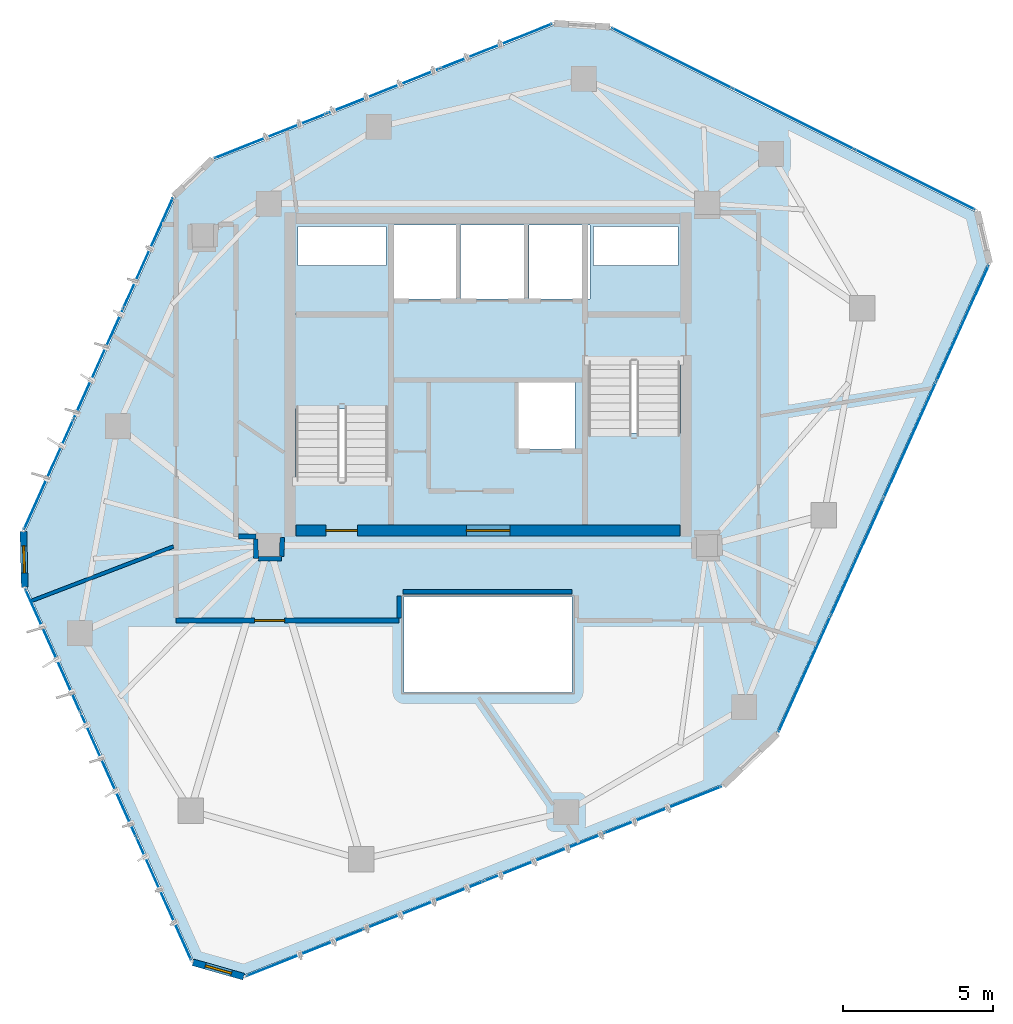
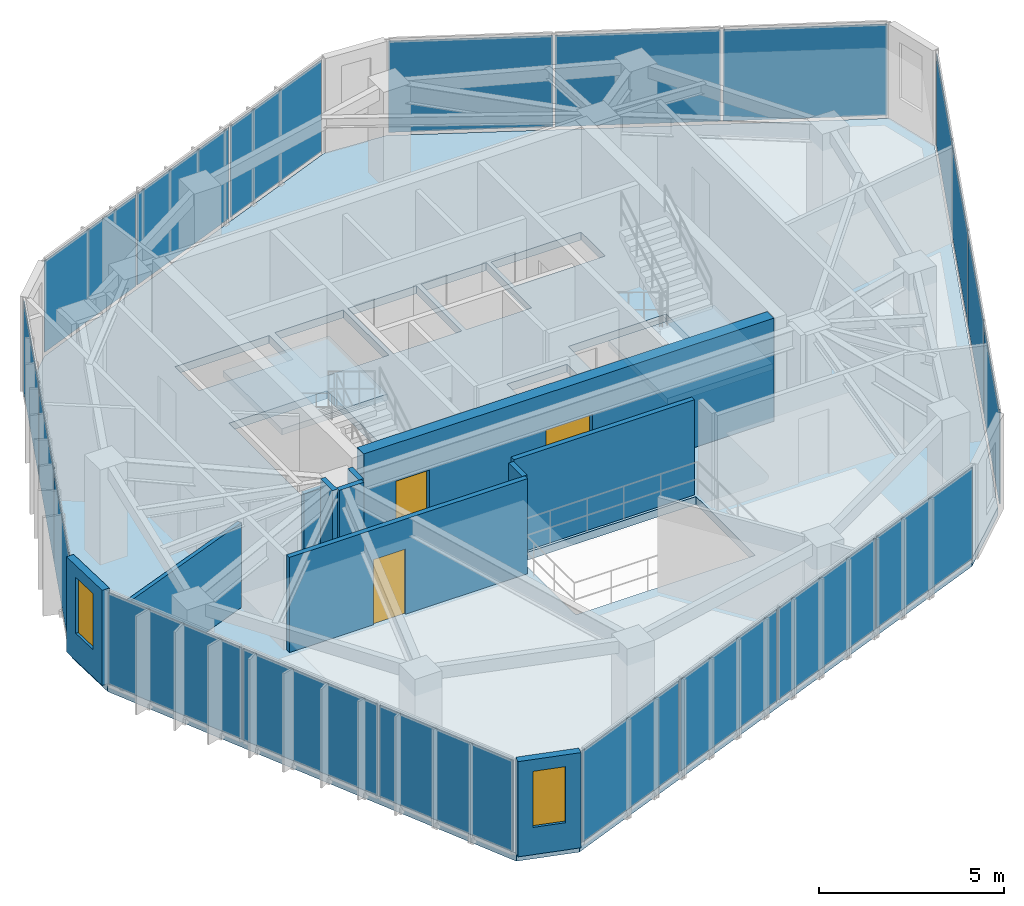
# One storey, part 16 of 20: 20 plates, 11 walls, 3 doors, 3 slabs, 2 windows, 5 openings, 8 elements without a shape of their own.
"""IFC4 building model written with IfcOpenShell, lengths in metres."""

from ifc_helpers import new_model, si_unit, direction, frame, frame_2d, origin, origin_2d, place, context, subcontext, project, spatial, polyline, rectangle, outline, extrude, source, transform, mapped, material, layer, layer_set, type_object, type_shapes, element, fill, aggregate, save


model = new_model("IFC4")

# Units and contexts
model_context = context("Model", 3, precision=1e-05, world=origin(), true_north=direction((0.0, 1.0)))
body_context = subcontext(model_context, "Body", "Model", "MODEL_VIEW")
ifc_project = project(units=[si_unit("LENGTHUNIT", "METRE"), si_unit("AREAUNIT", "SQUARE_METRE"), si_unit("VOLUMEUNIT", "CUBIC_METRE"), si_unit("PLANEANGLEUNIT", "RADIAN"), si_unit("MASSUNIT", "GRAM", prefix="KILO")], contexts=[model_context])

# Site, building, storey
site_placement = place(None, origin())
site = spatial("IfcSite", under=ifc_project, at=site_placement, CompositionType="ELEMENT")
building_placement = place(site_placement, origin())
building = spatial("IfcBuilding", under=site, at=building_placement, Name="Talar Marvaseh", CompositionType="ELEMENT")
storey_placement = place(building_placement, frame((0.0, 0.0, 278.199951171875)))
storey = spatial("IfcBuildingStorey", under=building, at=storey_placement, Name="L74", CompositionType="ELEMENT", Elevation=278.199951171875)

# Stair, slab
ifc_material_1 = material(Name="Concrete C40/50", Category="concrete")
stair_type = type_object("IfcStairType", Name="Reinforced Concrete High-Rise Exit Stair Type C", PredefinedType="HALF_TURN_STAIR", material=ifc_material_1)
stair_1_placement = place(storey_placement, origin())
stair_1 = element("IfcStair", 1, at=stair_1_placement, inside=storey, type_object=stair_type, Name="L74 Tower West Core Exit Stair", PredefinedType="HALF_TURN_STAIR")
ifc_layer_1 = layer(ifc_material_1, 0.199951171875)
ifc_layer_set_1 = layer_set([ifc_layer_1], Name="Concrete C40/50")
slab_type_1 = type_object("IfcSlabType", Name="Reinforced Concrete Stair Half-Landing Slab 200", PredefinedType="LANDING", material=ifc_layer_set_1)
slab_1_placement = place(storey_placement, frame((0.0, 0.0, 1.5)))
slab_1 = element("IfcSlab", 2, at=slab_1_placement, type_object=slab_type_1, Name="ST-1 landing 1", PredefinedType="LANDING", context=body_context, shape_type="SweptSolid", body=[
    extrude(outline(polyline([(22.780029296875, 30.050048828125), (22.780029296875, 33.219970703125), (19.47998046875, 33.219970703125), (19.47998046875, 30.050048828125), (22.780029296875, 30.050048828125)])), origin(), (0.0, 0.0, 1.0), 0.199951171875),
])
aggregate(stair_1, [slab_1])

stair_2_placement = place(storey_placement, origin())
stair_2 = element("IfcStair", 3, at=stair_2_placement, inside=storey, type_object=stair_type, Name="L74 Tower East Core Exit Stair", PredefinedType="HALF_TURN_STAIR")
slab_2_placement = place(storey_placement, frame((0.0, 0.0, 1.5)))
slab_2 = element("IfcSlab", 4, at=slab_2_placement, type_object=slab_type_1, Name="ST-2 landing 1", PredefinedType="LANDING", context=body_context, shape_type="SweptSolid", body=[
    extrude(outline(polyline([(29.219970703125, 29.25), (29.219970703125, 26.080078125), (32.52001953125, 26.080078125), (32.52001953125, 29.25), (29.219970703125, 29.25)])), origin(), (0.0, 0.0, 1.0), 0.199951171875),
])
aggregate(stair_2, [slab_2])

# Slab
ifc_layer_2 = layer(ifc_material_1, 0.260009765625)
ifc_layer_set_2 = layer_set([ifc_layer_2], Name="Concrete C40/50")
slab_type_2 = type_object("IfcSlabType", Name="Structural Suspended Floor Slab 260", PredefinedType="FLOOR", material=ifc_layer_set_2)
slab_3_placement = place(storey_placement, frame((0.0, 0.0, -0.260009765625)))
element("IfcSlab", 5, at=slab_3_placement, inside=storey, type_object=slab_type_2, Name="L74 Tower Floor Slab", PredefinedType="FLOOR", context=body_context, shape_type="SweptSolid", body=[
    extrude(outline(polyline([(17.876708984375, 11.186767578125), (16.185302734375, 11.666015625), (10.618896484375, 24.11279296875), (10.57421875, 25.968505859375), (15.57421875, 37.103515625), (16.8603515625, 38.334716796875), (28.202880859375, 42.84423828125), (30.054931640625, 42.71875), (42.2470703125, 36.614501953125), (42.652099609375, 34.90380859375), (35.60791015625, 19.272705078125), (33.80029296875, 17.54248046875), (17.876708984375, 11.186767578125)]), holes=[polyline([(22.659912109375, 27.64990234375), (22.659912109375, 33.10009765625), (19.60009765625, 33.10009765625), (19.60009765625, 27.64990234375), (22.659912109375, 27.64990234375)]), polyline([(29.340087890625, 31.64990234375), (29.340087890625, 26.199951171875), (32.39990234375, 26.199951171875), (32.39990234375, 31.64990234375), (29.340087890625, 31.64990234375)]), polyline([(22.800048828125, 33.719970703125), (24.93994140625, 33.719970703125), (24.93994140625, 36.179931640625), (22.800048828125, 36.179931640625), (22.800048828125, 33.719970703125)]), polyline([(25.080078125, 33.719970703125), (27.219970703125, 33.719970703125), (27.219970703125, 36.179931640625), (25.080078125, 36.179931640625), (25.080078125, 33.719970703125)]), polyline([(27.360107421875, 33.719970703125), (29.39990234375, 33.719970703125), (29.39990234375, 36.179931640625), (27.360107421875, 36.179931640625), (27.360107421875, 33.719970703125)]), polyline([(27.02001953125, 28.719970703125), (28.89990234375, 28.719970703125), (28.89990234375, 30.93994140625), (27.02001953125, 30.93994140625), (27.02001953125, 28.719970703125)]), polyline([(19.659912109375, 34.840087890625), (22.60009765625, 34.840087890625), (22.60009765625, 36.139892578125), (19.659912109375, 36.139892578125), (19.659912109375, 34.840087890625)]), polyline([(29.52001953125, 34.840087890625), (32.340087890625, 34.840087890625), (32.340087890625, 36.139892578125), (29.52001953125, 36.139892578125), (29.52001953125, 34.840087890625)]), polyline([(23.199951171875, 20.60009765625), (28.800048828125, 20.60009765625), (28.800048828125, 23.800048828125), (23.199951171875, 23.800048828125), (23.199951171875, 20.60009765625)])]), origin(), (0.0, 0.0, 1.0), 0.260009765625),
])

# Curtain wall, plates
ifc_material_2 = material(Name="Architectural Aluminium", Category="aluminium")
ifc_layer_3 = layer(ifc_material_2, 0.179931640625)
ifc_layer_set_3 = layer_set([ifc_layer_3], Name="Architectural Aluminium")
curtain_wall_type = type_object("IfcCurtainWallType", Name="Unitised High-Wind Sky Curtain Wall Z4", PredefinedType="NOTDEFINED", material=ifc_layer_set_3)
curtain_wall_1_placement = place(storey_placement, origin())
curtain_wall_1 = element("IfcCurtainWall", 6, at=curtain_wall_1_placement, inside=storey, type_object=curtain_wall_type, Name="L74 Unitised High-Wind Sky Curtain Wall Z4", PredefinedType="NOTDEFINED")
ifc_material_3 = material(Name="Laminated Low-E Solar Glass", Category="glass")
ifc_layer_4 = layer(ifc_material_3, 0.028076171875)
ifc_layer_set_4 = layer_set([ifc_layer_4], Name="Laminated Low-E Solar Glass")
plate_type = type_object("IfcPlateType", Name="Double-Glazed Low-E Vision Curtain Panel 28", PredefinedType="CURTAIN_PANEL", material=ifc_layer_set_4)
shared_shape_1 = source(origin(), body_context, "Body", "SweptSolid", [
    extrude(rectangle(XDim=4.447509765625, YDim=0.028076171875, at=origin_2d()), origin(), (0.0, 0.0, 1.0), 3.010009765625),
])
plate_1_placement = place(storey_placement, frame((15.1962890625, 13.73095703125, 0.06494140625), z_axis=(0.0, 0.0, 1.0), x_axis=(-0.408267314284, 0.912862421226, 0.0)))
plate_1 = element("IfcPlate", 7, at=plate_1_placement, type_object=plate_type, Name="CW-Z4 panel 1.1", PredefinedType="CURTAIN_PANEL", context=body_context, shape_type="MappedRepresentation", body=[
    mapped(shared_shape_1, transform((0.0, 0.0, 0.0), x_axis=(1.0, 0.0, 0.0), y_axis=(0.0, 1.0, 0.0), z_axis=(0.0, 0.0, 1.0), scale=1.0)),
])
plate_2_placement = place(storey_placement, frame((11.498291015625, 21.9990234375, 0.06494140625), z_axis=(0.0, 0.0, 1.0), x_axis=(-0.408267314284, 0.912862421226, 0.0)))
plate_2 = element("IfcPlate", 8, at=plate_2_placement, type_object=plate_type, Name="CW-Z4 panel 3.1", PredefinedType="CURTAIN_PANEL", context=body_context, shape_type="MappedRepresentation", body=[
    mapped(shared_shape_1, transform((0.0, 0.0, 0.0), x_axis=(1.0, 0.0, 0.0), y_axis=(0.0, 1.0, 0.0), z_axis=(0.0, 0.0, 1.0), scale=1.0)),
])

curtain_wall_2_placement = place(storey_placement, origin())
curtain_wall_2 = element("IfcCurtainWall", 9, at=curtain_wall_2_placement, inside=storey, type_object=curtain_wall_type, Name="L74 Unitised High-Wind Sky Curtain Wall Z4", PredefinedType="NOTDEFINED")
plate_3_placement = place(storey_placement, frame((32.12841796875, 41.747802734375, 0.06494140625), z_axis=(0.0, 0.0, 1.0), x_axis=(0.894186499617, -0.447694654763, 0.0)))
plate_3 = element("IfcPlate", 10, at=plate_3_placement, type_object=plate_type, Name="CW-Z4 panel 1.1", PredefinedType="CURTAIN_PANEL", context=body_context, shape_type="MappedRepresentation", body=[
    mapped(shared_shape_1, transform((0.0, 0.0, 0.0), x_axis=(1.0, 0.0, 0.0), y_axis=(0.0, 1.0, 0.0), z_axis=(0.0, 0.0, 1.0), scale=1.0)),
])
plate_4_placement = place(storey_placement, frame((40.227294921875, 37.69287109375, 0.06494140625), z_axis=(0.0, 0.0, 1.0), x_axis=(0.894186499617, -0.447694654763, 0.0)))
plate_4 = element("IfcPlate", 11, at=plate_4_placement, type_object=plate_type, Name="CW-Z4 panel 3.1", PredefinedType="CURTAIN_PANEL", context=body_context, shape_type="MappedRepresentation", body=[
    mapped(shared_shape_1, transform((0.0, 0.0, 0.0), x_axis=(1.0, 0.0, 0.0), y_axis=(0.0, 1.0, 0.0), z_axis=(0.0, 0.0, 1.0), scale=1.0)),
])

# Plate
shared_shape_2 = source(origin(), body_context, "Body", "SweptSolid", [
    extrude(rectangle(XDim=4.47998046875, YDim=0.028076171875, at=origin_2d()), origin(), (0.0, 0.0, 1.0), 3.010009765625),
])
plate_5_placement = place(storey_placement, frame((13.347412109375, 17.864990234375, 0.06494140625), z_axis=(0.0, 0.0, 1.0), x_axis=(-0.408267314284, 0.912862421226, 0.0)))
plate_5 = element("IfcPlate", 12, at=plate_5_placement, type_object=plate_type, Name="CW-Z4 panel 2.1", PredefinedType="CURTAIN_PANEL", context=body_context, shape_type="MappedRepresentation", body=[
    mapped(shared_shape_2, transform((0.0, 0.0, 0.0), x_axis=(1.0, 0.0, 0.0), y_axis=(0.0, 1.0, 0.0), z_axis=(0.0, 0.0, 1.0), scale=1.0)),
])

aggregate(curtain_wall_1, [plate_1, plate_5, plate_2])

plate_6_placement = place(storey_placement, frame((36.177978515625, 39.720458984375, 0.06494140625), z_axis=(0.0, 0.0, 1.0), x_axis=(0.894186499617, -0.447694654763, 0.0)))
plate_6 = element("IfcPlate", 13, at=plate_6_placement, type_object=plate_type, Name="CW-Z4 panel 2.1", PredefinedType="CURTAIN_PANEL", context=body_context, shape_type="MappedRepresentation", body=[
    mapped(shared_shape_2, transform((0.0, 0.0, 0.0), x_axis=(1.0, 0.0, 0.0), y_axis=(0.0, 1.0, 0.0), z_axis=(0.0, 0.0, 1.0), scale=1.0)),
])

aggregate(curtain_wall_2, [plate_3, plate_6, plate_4])

# Curtain wall, plates
curtain_wall_3_placement = place(storey_placement, origin())
curtain_wall_3 = element("IfcCurtainWall", 14, at=curtain_wall_3_placement, inside=storey, type_object=curtain_wall_type, Name="L74 Unitised High-Wind Sky Curtain Wall Z4", PredefinedType="NOTDEFINED")
shared_shape_3 = source(origin(), body_context, "Body", "SweptSolid", [
    extrude(rectangle(XDim=3.97119140625, YDim=0.028076171875, at=origin_2d()), origin(), (0.0, 0.0, 1.0), 3.010009765625),
])
plate_7_placement = place(storey_placement, frame((11.359375, 27.86376953125, 0.06494140625), z_axis=(0.0, 0.0, 1.0), x_axis=(0.409635208061, 0.91224941563, 0.0)))
plate_7 = element("IfcPlate", 15, at=plate_7_placement, type_object=plate_type, Name="CW-Z4 panel 1.1", PredefinedType="CURTAIN_PANEL", context=body_context, shape_type="MappedRepresentation", body=[
    mapped(shared_shape_3, transform((0.0, 0.0, 0.0), x_axis=(1.0, 0.0, 0.0), y_axis=(0.0, 1.0, 0.0), z_axis=(0.0, 0.0, 1.0), scale=1.0)),
])
plate_8_placement = place(storey_placement, frame((14.679443359375, 35.257568359375, 0.06494140625), z_axis=(0.0, 0.0, 1.0), x_axis=(0.409635208061, 0.91224941563, 0.0)))
plate_8 = element("IfcPlate", 16, at=plate_8_placement, type_object=plate_type, Name="CW-Z4 panel 3.1", PredefinedType="CURTAIN_PANEL", context=body_context, shape_type="MappedRepresentation", body=[
    mapped(shared_shape_3, transform((0.0, 0.0, 0.0), x_axis=(1.0, 0.0, 0.0), y_axis=(0.0, 1.0, 0.0), z_axis=(0.0, 0.0, 1.0), scale=1.0)),
])

curtain_wall_4_placement = place(storey_placement, origin())
curtain_wall_4 = element("IfcCurtainWall", 17, at=curtain_wall_4_placement, inside=storey, type_object=curtain_wall_type, Name="L74 Unitised High-Wind Sky Curtain Wall Z4", PredefinedType="NOTDEFINED")
plate_9_placement = place(storey_placement, frame((18.74365234375, 39.148193359375, 0.06494140625), z_axis=(0.0, 0.0, 1.0), x_axis=(0.929250430647, 0.369450452893, 0.0)))
plate_9 = element("IfcPlate", 18, at=plate_9_placement, type_object=plate_type, Name="CW-Z4 panel 1.1", PredefinedType="CURTAIN_PANEL", context=body_context, shape_type="MappedRepresentation", body=[
    mapped(shared_shape_3, transform((0.0, 0.0, 0.0), x_axis=(1.0, 0.0, 0.0), y_axis=(0.0, 1.0, 0.0), z_axis=(0.0, 0.0, 1.0), scale=1.0)),
])
plate_10_placement = place(storey_placement, frame((26.275146484375, 42.142578125, 0.06494140625), z_axis=(0.0, 0.0, 1.0), x_axis=(0.929250430647, 0.369450452893, 0.0)))
plate_10 = element("IfcPlate", 19, at=plate_10_placement, type_object=plate_type, Name="CW-Z4 panel 3.1", PredefinedType="CURTAIN_PANEL", context=body_context, shape_type="MappedRepresentation", body=[
    mapped(shared_shape_3, transform((0.0, 0.0, 0.0), x_axis=(1.0, 0.0, 0.0), y_axis=(0.0, 1.0, 0.0), z_axis=(0.0, 0.0, 1.0), scale=1.0)),
])

# Plate
shared_shape_4 = source(origin(), body_context, "Body", "SweptSolid", [
    extrude(rectangle(XDim=4.003662109375, YDim=0.028076171875, at=origin_2d()), origin(), (0.0, 0.0, 1.0), 3.010009765625),
])
plate_11_placement = place(storey_placement, frame((13.01953125, 31.560546875, 0.06494140625), z_axis=(0.0, 0.0, 1.0), x_axis=(0.409635208061, 0.91224941563, 0.0)))
plate_11 = element("IfcPlate", 20, at=plate_11_placement, type_object=plate_type, Name="CW-Z4 panel 2.1", PredefinedType="CURTAIN_PANEL", context=body_context, shape_type="MappedRepresentation", body=[
    mapped(shared_shape_4, transform((0.0, 0.0, 0.0), x_axis=(1.0, 0.0, 0.0), y_axis=(0.0, 1.0, 0.0), z_axis=(0.0, 0.0, 1.0), scale=1.0)),
])

aggregate(curtain_wall_3, [plate_7, plate_11, plate_8])

plate_12_placement = place(storey_placement, frame((22.509521484375, 40.645263671875, 0.06494140625), z_axis=(0.0, 0.0, 1.0), x_axis=(0.929250430647, 0.369450452893, 0.0)))
plate_12 = element("IfcPlate", 21, at=plate_12_placement, type_object=plate_type, Name="CW-Z4 panel 2.1", PredefinedType="CURTAIN_PANEL", context=body_context, shape_type="MappedRepresentation", body=[
    mapped(shared_shape_4, transform((0.0, 0.0, 0.0), x_axis=(1.0, 0.0, 0.0), y_axis=(0.0, 1.0, 0.0), z_axis=(0.0, 0.0, 1.0), scale=1.0)),
])

aggregate(curtain_wall_4, [plate_9, plate_12, plate_10])

# Curtain wall, plates
curtain_wall_5_placement = place(storey_placement, origin())
curtain_wall_5 = element("IfcCurtainWall", 22, at=curtain_wall_5_placement, inside=storey, type_object=curtain_wall_type, Name="L74 Unitised High-Wind Sky Curtain Wall Z4", PredefinedType="NOTDEFINED")
shared_shape_5 = source(origin(), body_context, "Body", "SweptSolid", [
    extrude(rectangle(XDim=4.188720703125, YDim=0.028076171875, at=origin_2d()), origin(), (0.0, 0.0, 1.0), 3.010009765625),
])
plate_13_placement = place(storey_placement, frame((41.819580078125, 32.910400390625, 0.06494140625), z_axis=(0.0, 0.0, 1.0), x_axis=(-0.410859599187, -0.9116986288, 0.0)))
plate_13 = element("IfcPlate", 23, at=plate_13_placement, type_object=plate_type, Name="CW-Z4 panel 1.1", PredefinedType="CURTAIN_PANEL", context=body_context, shape_type="MappedRepresentation", body=[
    mapped(shared_shape_5, transform((0.0, 0.0, 0.0), x_axis=(1.0, 0.0, 0.0), y_axis=(0.0, 1.0, 0.0), z_axis=(0.0, 0.0, 1.0), scale=1.0)),
])
plate_14_placement = place(storey_placement, frame((36.5498046875, 21.216796875, 0.06494140625), z_axis=(0.0, 0.0, 1.0), x_axis=(-0.410859599187, -0.9116986288, 0.0)))
plate_14 = element("IfcPlate", 24, at=plate_14_placement, type_object=plate_type, Name="CW-Z4 panel 4.1", PredefinedType="CURTAIN_PANEL", context=body_context, shape_type="MappedRepresentation", body=[
    mapped(shared_shape_5, transform((0.0, 0.0, 0.0), x_axis=(1.0, 0.0, 0.0), y_axis=(0.0, 1.0, 0.0), z_axis=(0.0, 0.0, 1.0), scale=1.0)),
])

curtain_wall_6_placement = place(storey_placement, origin())
curtain_wall_6 = element("IfcCurtainWall", 25, at=curtain_wall_6_placement, inside=storey, type_object=curtain_wall_type, Name="L74 Unitised High-Wind Sky Curtain Wall Z4", PredefinedType="NOTDEFINED")
plate_15_placement = place(storey_placement, frame((31.81689453125, 16.686279296875, 0.06494140625), z_axis=(0.0, 0.0, 1.0), x_axis=(-0.928751974805, -0.370701725509, 0.0)))
plate_15 = element("IfcPlate", 26, at=plate_15_placement, type_object=plate_type, Name="CW-Z4 panel 1.1", PredefinedType="CURTAIN_PANEL", context=body_context, shape_type="MappedRepresentation", body=[
    mapped(shared_shape_5, transform((0.0, 0.0, 0.0), x_axis=(1.0, 0.0, 0.0), y_axis=(0.0, 1.0, 0.0), z_axis=(0.0, 0.0, 1.0), scale=1.0)),
])
plate_16_placement = place(storey_placement, frame((19.904541015625, 11.931396484375, 0.06494140625), z_axis=(0.0, 0.0, 1.0), x_axis=(-0.928751974805, -0.370701725509, 0.0)))
plate_16 = element("IfcPlate", 27, at=plate_16_placement, type_object=plate_type, Name="CW-Z4 panel 4.1", PredefinedType="CURTAIN_PANEL", context=body_context, shape_type="MappedRepresentation", body=[
    mapped(shared_shape_5, transform((0.0, 0.0, 0.0), x_axis=(1.0, 0.0, 0.0), y_axis=(0.0, 1.0, 0.0), z_axis=(0.0, 0.0, 1.0), scale=1.0)),
])

# Plate
shared_shape_6 = source(origin(), body_context, "Body", "SweptSolid", [
    extrude(rectangle(XDim=4.22119140625, YDim=0.028076171875, at=origin_2d()), origin(), (0.0, 0.0, 1.0), 3.010009765625),
])
type_shapes(plate_type, [shared_shape_1, shared_shape_2, shared_shape_3, shared_shape_4, shared_shape_5, shared_shape_6])
plate_17_placement = place(storey_placement, frame((40.065185546875, 29.017578125, 0.06494140625), z_axis=(0.0, 0.0, 1.0), x_axis=(-0.410859599187, -0.9116986288, 0.0)))
plate_17 = element("IfcPlate", 28, at=plate_17_placement, type_object=plate_type, Name="CW-Z4 panel 2.1", PredefinedType="CURTAIN_PANEL", context=body_context, shape_type="MappedRepresentation", body=[
    mapped(shared_shape_6, transform((0.0, 0.0, 0.0), x_axis=(1.0, 0.0, 0.0), y_axis=(0.0, 1.0, 0.0), z_axis=(0.0, 0.0, 1.0), scale=1.0)),
])

plate_18_placement = place(storey_placement, frame((38.30419921875, 25.10986328125, 0.06494140625), z_axis=(0.0, 0.0, 1.0), x_axis=(-0.410859599187, -0.9116986288, 0.0)))
plate_18 = element("IfcPlate", 29, at=plate_18_placement, type_object=plate_type, Name="CW-Z4 panel 3.1", PredefinedType="CURTAIN_PANEL", context=body_context, shape_type="MappedRepresentation", body=[
    mapped(shared_shape_6, transform((0.0, 0.0, 0.0), x_axis=(1.0, 0.0, 0.0), y_axis=(0.0, 1.0, 0.0), z_axis=(0.0, 0.0, 1.0), scale=1.0)),
])

aggregate(curtain_wall_5, [plate_13, plate_17, plate_18, plate_14])

plate_19_placement = place(storey_placement, frame((27.85107421875, 15.103271484375, 0.06494140625), z_axis=(0.0, 0.0, 1.0), x_axis=(-0.928751974805, -0.370701725509, 0.0)))
plate_19 = element("IfcPlate", 30, at=plate_19_placement, type_object=plate_type, Name="CW-Z4 panel 2.1", PredefinedType="CURTAIN_PANEL", context=body_context, shape_type="MappedRepresentation", body=[
    mapped(shared_shape_6, transform((0.0, 0.0, 0.0), x_axis=(1.0, 0.0, 0.0), y_axis=(0.0, 1.0, 0.0), z_axis=(0.0, 0.0, 1.0), scale=1.0)),
])

plate_20_placement = place(storey_placement, frame((23.870361328125, 13.514404296875, 0.06494140625), z_axis=(0.0, 0.0, 1.0), x_axis=(-0.928751974805, -0.370701725509, 0.0)))
plate_20 = element("IfcPlate", 31, at=plate_20_placement, type_object=plate_type, Name="CW-Z4 panel 3.1", PredefinedType="CURTAIN_PANEL", context=body_context, shape_type="MappedRepresentation", body=[
    mapped(shared_shape_6, transform((0.0, 0.0, 0.0), x_axis=(1.0, 0.0, 0.0), y_axis=(0.0, 1.0, 0.0), z_axis=(0.0, 0.0, 1.0), scale=1.0)),
])

aggregate(curtain_wall_6, [plate_15, plate_19, plate_20, plate_16])

# Wall, opening, window
ifc_material_4 = material(Name="Precast concrete C45/55", Category="concrete")
ifc_layer_5 = layer(ifc_material_4, 0.22509765625)
ifc_layer_set_5 = layer_set([ifc_layer_5], Name="Precast concrete C45/55")
wall_type_1 = type_object("IfcWallType", Name="Chamfered Hexagonal Corner Pier Wall Z4 225", PredefinedType="SOLIDWALL", material=ifc_layer_set_5)
wall_1_placement = place(storey_placement, frame((17.8603515625, 11.12890625, 0.0), z_axis=(0.0, 0.0, 1.0), x_axis=(-0.962087865937, 0.272739689478, 0.0)))
wall_1 = element("IfcWall", 32, at=wall_1_placement, inside=storey, type_object=wall_type_1, Name="L74 Chamfered Corner Limestone Pier 1", PredefinedType="SOLIDWALL", context=body_context, shape_type="SweptSolid", body=[
    extrude(rectangle(XDim=1.758056640625, YDim=0.22509765625, at=frame_2d((0.87890625, 0.0))), origin(), (0.0, 0.0, 1.0), 3.14013671875),
])
opening_1_placement = place(wall_1_placement, frame((0.428955078125, 0.0, 0.89990234375)))
opening_1 = element("IfcOpeningElement", 33, at=opening_1_placement, cuts=wall_1, Name="Opening WN-CHM09", PredefinedType="OPENING", context=body_context, shape_type="SweptSolid", body=[
    extrude(rectangle(XDim=0.89990234375, YDim=1.85009765625, at=frame_2d((0.449951171875, 0.925048828125))), frame((0.0, 0.12255859375, 0.0), z_axis=(0.0, -1.0, 0.0), x_axis=(1.0, 0.0, 0.0)), (0.0, 0.0, 1.0), 0.2451171875),
])
window_type = type_object("IfcWindowType", Name="Zone 4 Chamfered Corner Slot Window 900x1850", PartitioningType="SINGLE_PANEL", PredefinedType="WINDOW", material=ifc_material_3)
shared_shape_7 = source(origin(), body_context, "Body", "SweptSolid", [
    extrude(rectangle(XDim=0.89990234375, YDim=1.85009765625, at=frame_2d((0.449951171875, 0.925048828125))), frame((0.0, 0.030029296875, 0.0), z_axis=(0.0, -1.0, 0.0), x_axis=(1.0, 0.0, 0.0)), (0.0, 0.0, 1.0), 0.06005859375),
])
type_shapes(window_type, [shared_shape_7])
window_1_placement = place(opening_1_placement, origin())
window_1 = element("IfcWindow", 34, at=window_1_placement, inside=storey, type_object=window_type, Name="L74 Chamfered Corner Slot Window", OverallHeight=1.85009765625, OverallWidth=0.89990234375, PartitioningType="SINGLE_PANEL", PredefinedType="WINDOW", context=body_context, shape_type="MappedRepresentation", body=[
    mapped(shared_shape_7, transform((0.0, 0.0, 0.0), x_axis=(1.0, 0.0, 0.0), y_axis=(0.0, 1.0, 0.0), z_axis=(0.0, 0.0, 1.0), scale=1.0)),
])
fill(opening_1, window_1)

wall_2_placement = place(storey_placement, frame((10.558837890625, 24.111328125, 0.0), z_axis=(0.0, 0.0, 1.0), x_axis=(-0.024065640573, 0.999710380532, 0.0)))
wall_2 = element("IfcWall", 35, at=wall_2_placement, inside=storey, type_object=wall_type_1, Name="L74 Chamfered Corner Limestone Pier 2", PredefinedType="SOLIDWALL", context=body_context, shape_type="SweptSolid", body=[
    extrude(rectangle(XDim=1.8564453125, YDim=0.22509765625, at=frame_2d((0.92822265625, 0.0))), origin(), (0.0, 0.0, 1.0), 3.14013671875),
])
opening_2_placement = place(wall_2_placement, frame((0.47802734375, 0.0, 0.89990234375)))
opening_2 = element("IfcOpeningElement", 36, at=opening_2_placement, cuts=wall_2, Name="Opening WN-CHM09", PredefinedType="OPENING", context=body_context, shape_type="SweptSolid", body=[
    extrude(rectangle(XDim=0.89990234375, YDim=1.85009765625, at=frame_2d((0.449951171875, 0.925048828125))), frame((0.0, 0.12255859375, 0.0), z_axis=(0.0, -1.0, 0.0), x_axis=(1.0, 0.0, 0.0)), (0.0, 0.0, 1.0), 0.2451171875),
])
window_2_placement = place(opening_2_placement, origin())
window_2 = element("IfcWindow", 37, at=window_2_placement, inside=storey, type_object=window_type, Name="L74 Chamfered Corner Slot Window", OverallHeight=1.85009765625, OverallWidth=0.89990234375, PartitioningType="SINGLE_PANEL", PredefinedType="WINDOW", context=body_context, shape_type="MappedRepresentation", body=[
    mapped(shared_shape_7, transform((0.0, 0.0, 0.0), x_axis=(1.0, 0.0, 0.0), y_axis=(0.0, 1.0, 0.0), z_axis=(0.0, 0.0, 1.0), scale=1.0)),
])
fill(opening_2, window_2)

# Wall, opening, door
ifc_material_5 = material(Name="Gypsum Board Partition Assembly")
ifc_layer_6 = layer(ifc_material_5, 0.155029296875)
ifc_layer_set_6 = layer_set([ifc_layer_6], Name="Gypsum Board Partition Assembly")
wall_type_2 = type_object("IfcWallType", Name="Corridor Fire-Rated Acoustic Partition 155", PredefinedType="PARTITIONING", material=ifc_layer_set_6)
wall_3_placement = place(storey_placement, frame((23.0400390625, 23.0, 0.0), z_axis=(0.0, 0.0, 1.0), x_axis=(-1.0, 0.0, 0.0)))
wall_3 = element("IfcWall", 38, at=wall_3_placement, inside=storey, type_object=wall_type_2, Name="L74 Interior Partition Wall", PredefinedType="PARTITIONING", context=body_context, shape_type="SweptSolid", body=[
    extrude(rectangle(XDim=7.43994140625, YDim=0.155029296875, at=frame_2d((3.719970703125, 0.0))), origin(), (0.0, 0.0, 1.0), 3.14013671875),
])
opening_3_placement = place(wall_3_placement, frame((3.815185546875, 0.0, 0.0)))
opening_3 = element("IfcOpeningElement", 39, at=opening_3_placement, cuts=wall_3, Name="Opening DR-RM100", PredefinedType="OPENING", context=body_context, shape_type="SweptSolid", body=[
    extrude(rectangle(XDim=1.0, YDim=2.14990234375, at=frame_2d((0.5, 1.074951171875))), frame((0.0, 0.08740234375, 0.0), z_axis=(0.0, -1.0, 0.0), x_axis=(1.0, 0.0, 0.0)), (0.0, 0.0, 1.0), 0.175048828125),
])
ifc_material_6 = material(Name="Acoustic Engineered Oak Timber", Category="wood")
door_type_1 = type_object("IfcDoorType", Name="Corridor Fire-Rated Gallery Door 1000x2150", OperationType="NOTDEFINED", PredefinedType="DOOR", material=ifc_material_6)
shared_shape_8 = source(origin(), body_context, "Body", "SweptSolid", [
    extrude(rectangle(XDim=1.0, YDim=2.14990234375, at=frame_2d((0.5, 1.074951171875))), frame((0.0, 0.02490234375, 0.0), z_axis=(0.0, -1.0, 0.0), x_axis=(1.0, 0.0, 0.0)), (0.0, 0.0, 1.0), 0.050048828125),
])
type_shapes(door_type_1, [shared_shape_8])
door_1_placement = place(opening_3_placement, origin())
door_1 = element("IfcDoor", 40, at=door_1_placement, inside=storey, type_object=door_type_1, Name="L74 Museum Publication Bookshop Door", OperationType="SINGLE_SWING_LEFT", OverallHeight=2.14990234375, OverallWidth=1.0, PredefinedType="DOOR", context=body_context, shape_type="MappedRepresentation", body=[
    mapped(shared_shape_8, transform((0.0, 0.0, 0.0), x_axis=(1.0, 0.0, 0.0), y_axis=(0.0, 1.0, 0.0), z_axis=(0.0, 0.0, 1.0), scale=1.0)),
])
fill(opening_3, door_1)

# Walls
wall_4_placement = place(storey_placement, frame((17.68359375, 25.800048828125, 0.0), z_axis=(0.0, 0.0, 1.0), x_axis=(1.0, 0.0, 0.0)))
element("IfcWall", 41, at=wall_4_placement, inside=storey, type_object=wall_type_2, Name="L74 Interior Partition Wall", PredefinedType="PARTITIONING", context=body_context, shape_type="SweptSolid", body=[
    extrude(rectangle(XDim=0.576416015625, YDim=0.155029296875, at=frame_2d((0.2880859375, 0.0))), origin(), (0.0, 0.0, 1.0), 2.802001953125),
])
wall_5_placement = place(storey_placement, frame((18.260986328125, 25.716552734375, 0.0), z_axis=(0.0, 0.0, 1.0), x_axis=(0.010439401276, -0.999945507966, 0.0)))
element("IfcWall", 42, at=wall_5_placement, inside=storey, type_object=wall_type_2, Name="L74 Interior Partition Wall", PredefinedType="PARTITIONING", context=body_context, shape_type="SweptSolid", body=[
    extrude(rectangle(XDim=0.65478515625, YDim=0.155029296875, at=frame_2d((0.327392578125, 0.0))), origin(), (0.0, 0.0, 1.0), 3.14013671875),
])
wall_6_placement = place(storey_placement, frame((18.351318359375, 25.0615234375, 0.0), z_axis=(0.0, 0.0, 1.0), x_axis=(0.999998207633, -0.001893338355, 0.0)))
element("IfcWall", 43, at=wall_6_placement, inside=storey, type_object=wall_type_2, Name="L74 Interior Partition Wall", PredefinedType="PARTITIONING", context=body_context, shape_type="SweptSolid", body=[
    extrude(rectangle(XDim=0.773681640625, YDim=0.155029296875, at=frame_2d((0.38671875, 0.0))), origin(), (0.0, 0.0, 1.0), 3.14013671875),
])
wall_7_placement = place(storey_placement, frame((19.126708984375, 25.1435546875, 0.0), z_axis=(0.0, 0.0, 1.0), x_axis=(0.021238324089, 0.999774441357, 0.0)))
element("IfcWall", 44, at=wall_7_placement, inside=storey, type_object=wall_type_2, Name="L74 Interior Partition Wall", PredefinedType="PARTITIONING", context=body_context, shape_type="SweptSolid", body=[
    extrude(rectangle(XDim=0.620849609375, YDim=0.155029296875, at=frame_2d((0.310546875, 0.0))), origin(), (0.0, 0.0, 1.0), 3.14013671875),
])
wall_8_placement = place(storey_placement, frame((28.800048828125, 23.9599609375, 0.0), z_axis=(0.0, 0.0, 1.0), x_axis=(-0.999999841177, -0.000563600015, 0.0)))
element("IfcWall", 45, at=wall_8_placement, inside=storey, type_object=wall_type_2, Name="L74 Interior Partition Wall", PredefinedType="PARTITIONING", context=body_context, shape_type="SweptSolid", body=[
    extrude(rectangle(XDim=5.63134765625, YDim=0.155029296875, at=frame_2d((2.815673828125, 0.0))), origin(), (0.0, 0.0, 1.0), 3.14013671875),
])
wall_9_placement = place(storey_placement, frame((23.040771484375, 23.815673828125, 0.0), z_axis=(0.0, 0.0, 1.0), x_axis=(-0.001000332944, -0.999999499667, 0.0)))
element("IfcWall", 46, at=wall_9_placement, inside=storey, type_object=wall_type_2, Name="L74 Interior Partition Wall", PredefinedType="PARTITIONING", context=body_context, shape_type="SweptSolid", body=[
    extrude(rectangle(XDim=0.732177734375, YDim=0.155029296875, at=frame_2d((0.3662109375, 0.0))), origin(), (0.0, 0.0, 1.0), 3.14013671875),
])
ifc_layer_7 = layer(ifc_material_5, 0.1201171875)
ifc_layer_set_7 = layer_set([ifc_layer_7], Name="Gypsum Board Partition Assembly")
wall_type_3 = type_object("IfcWallType", Name="Demountable Studio Room Partition 120", PredefinedType="PARTITIONING", material=ifc_layer_set_7)
wall_10_placement = place(storey_placement, frame((10.784423828125, 23.656494140625, 0.0), z_axis=(0.0, 0.0, 1.0), x_axis=(0.93390946961, 0.357509583888, 0.0)))
element("IfcWall", 47, at=wall_10_placement, inside=storey, type_object=wall_type_3, Name="L74 Interior Partition Wall", PredefinedType="PARTITIONING", context=body_context, shape_type="SweptSolid", body=[
    extrude(rectangle(XDim=5.067138671875, YDim=0.1201171875, at=frame_2d((2.53369140625, 0.0))), origin(), (0.0, 0.0, 1.0), 2.802001953125),
])

# Wall, openings, doors
ifc_material_7 = material(Name="Concrete C50/60", Category="concrete")
ifc_layer_8 = layer(ifc_material_7, 0.360107421875)
ifc_layer_set_8 = layer_set([ifc_layer_8], Name="Concrete C50/60")
wall_type_4 = type_object("IfcWallType", Name="Upper Core Reinforced Concrete Shear Wall 360", PredefinedType="SHEAR", material=ifc_layer_set_8)
wall_11_placement = place(storey_placement, frame((32.39990234375, 26.0, 0.0), z_axis=(0.0, 0.0, 1.0), x_axis=(-1.0, 0.0, 0.0)))
wall_11 = element("IfcWall", 48, at=wall_11_placement, inside=storey, type_object=wall_type_4, Name="L74 South Core Shear Wall", PredefinedType="SHEAR", context=body_context, shape_type="SweptSolid", body=[
    extrude(rectangle(XDim=12.7998046875, YDim=0.360107421875, at=frame_2d((6.39990234375, 0.0))), origin(), (0.0, 0.0, 1.0), 3.400146484375),
])
opening_4_placement = place(wall_11_placement, frame((10.75, 0.0, 0.0)))
opening_4 = element("IfcOpeningElement", 49, at=opening_4_placement, cuts=wall_11, Name="Opening DR-ST105", PredefinedType="OPENING", context=body_context, shape_type="SweptSolid", body=[
    extrude(rectangle(XDim=1.050048828125, YDim=2.14990234375, at=frame_2d((0.52490234375, 1.074951171875))), frame((0.0, 0.18994140625, 0.0), z_axis=(0.0, -1.0, 0.0), x_axis=(1.0, 0.0, 0.0)), (0.0, 0.0, 1.0), 0.380126953125),
])
opening_5_placement = place(wall_11_placement, frame((5.669921875, 0.0, 0.0)))
opening_5 = element("IfcOpeningElement", 50, at=opening_5_placement, cuts=wall_11, Name="Opening DR-LBY145", PredefinedType="OPENING", context=body_context, shape_type="SweptSolid", body=[
    extrude(rectangle(XDim=1.449951171875, YDim=2.199951171875, at=frame_2d((0.72509765625, 1.10009765625))), frame((0.0, 0.18994140625, 0.0), z_axis=(0.0, -1.0, 0.0), x_axis=(1.0, 0.0, 0.0)), (0.0, 0.0, 1.0), 0.380126953125),
])
ifc_material_8 = material(Name="Fire-Rated Steel Door Leaf", Category="steel")
door_type_2 = type_object("IfcDoorType", Name="Protected Exit Stair Fire Door 1050x2150", OperationType="NOTDEFINED", PredefinedType="DOOR", material=ifc_material_8)
shared_shape_9 = source(origin(), body_context, "Body", "SweptSolid", [
    extrude(rectangle(XDim=1.050048828125, YDim=2.14990234375, at=frame_2d((0.52490234375, 1.074951171875))), frame((0.0, 0.02490234375, 0.0), z_axis=(0.0, -1.0, 0.0), x_axis=(1.0, 0.0, 0.0)), (0.0, 0.0, 1.0), 0.050048828125),
])
type_shapes(door_type_2, [shared_shape_9])
door_2_placement = place(opening_4_placement, origin())
door_2 = element("IfcDoor", 51, at=door_2_placement, inside=storey, type_object=door_type_2, Name="L74 Stair ST-1 Exit Door", OperationType="SINGLE_SWING_RIGHT", OverallHeight=2.14990234375, OverallWidth=1.050048828125, PredefinedType="DOOR", context=body_context, shape_type="MappedRepresentation", body=[
    mapped(shared_shape_9, transform((0.0, 0.0, 0.0), x_axis=(1.0, 0.0, 0.0), y_axis=(0.0, 1.0, 0.0), z_axis=(0.0, 0.0, 1.0), scale=1.0)),
])
fill(opening_4, door_2)
door_type_3 = type_object("IfcDoorType", Name="Core Lift Lobby Double Smoke Door 1450x2200", OperationType="NOTDEFINED", PredefinedType="DOOR", material=ifc_material_8)
shared_shape_10 = source(origin(), body_context, "Body", "SweptSolid", [
    extrude(rectangle(XDim=1.449951171875, YDim=2.199951171875, at=frame_2d((0.72509765625, 1.10009765625))), frame((0.0, 0.02490234375, 0.0), z_axis=(0.0, -1.0, 0.0), x_axis=(1.0, 0.0, 0.0)), (0.0, 0.0, 1.0), 0.050048828125),
])
type_shapes(door_type_3, [shared_shape_10])
door_3_placement = place(opening_5_placement, origin())
door_3 = element("IfcDoor", 52, at=door_3_placement, inside=storey, type_object=door_type_3, Name="L74 Passenger Lift Lobby Entrance Door", OperationType="DOUBLE_DOOR_SINGLE_SWING", OverallHeight=2.199951171875, OverallWidth=1.449951171875, PredefinedType="DOOR", context=body_context, shape_type="MappedRepresentation", body=[
    mapped(shared_shape_10, transform((0.0, 0.0, 0.0), x_axis=(1.0, 0.0, 0.0), y_axis=(0.0, 1.0, 0.0), z_axis=(0.0, 0.0, 1.0), scale=1.0)),
])
fill(opening_5, door_3)

save(model, "model.ifc")
